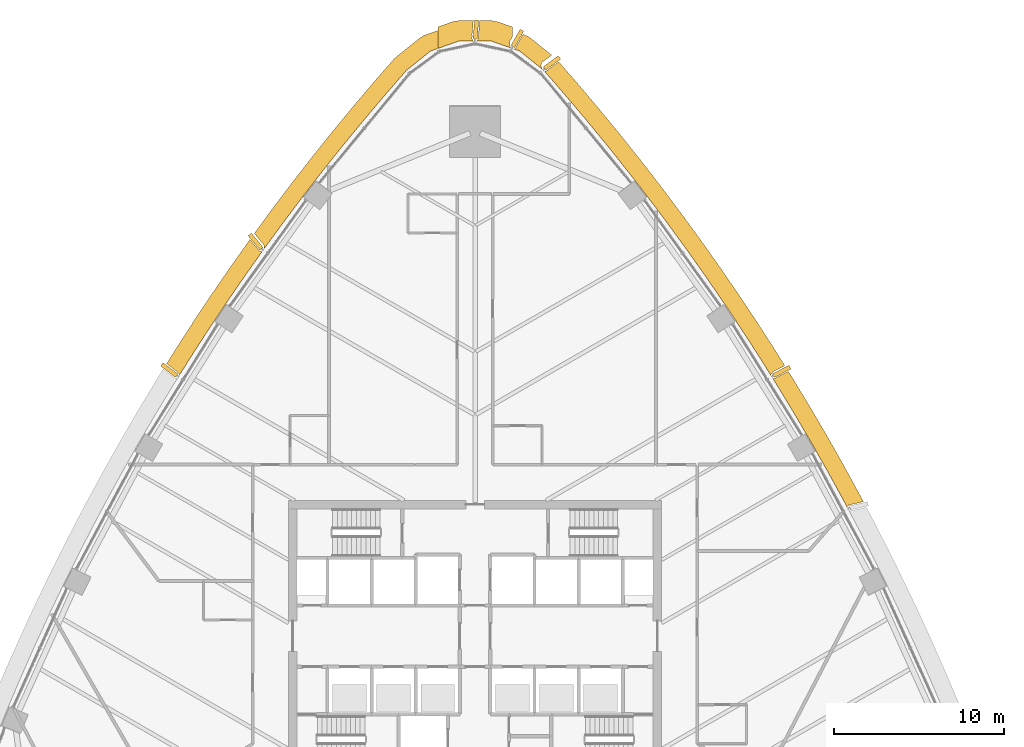
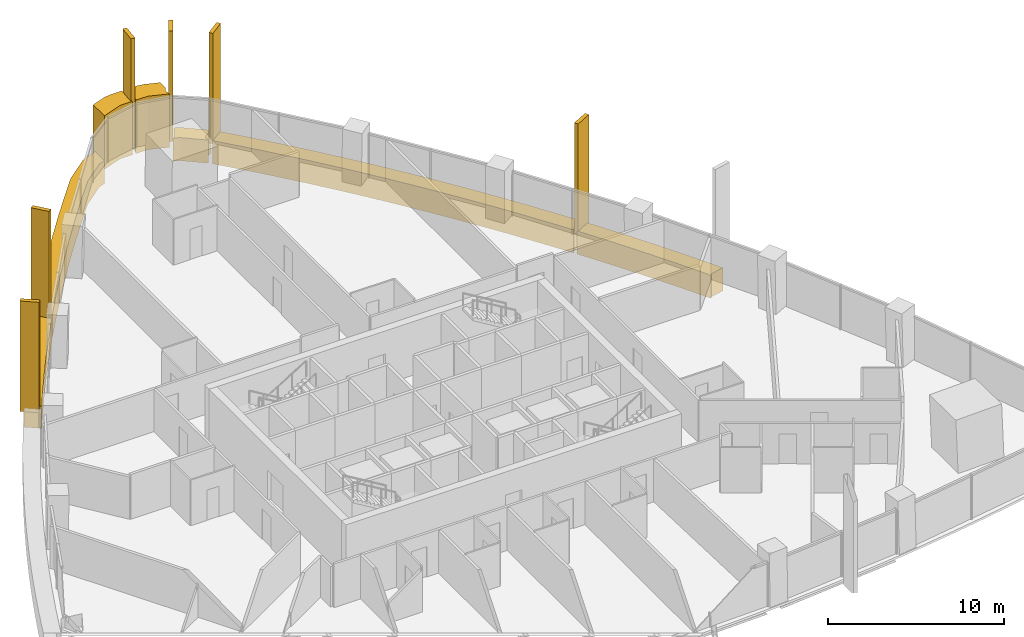
# One storey, part 21 of 22: 13 coverings.
"""IFC4 building model written with IfcOpenShell, lengths in metres."""

from ifc_helpers import new_model, si_unit, direction, frame, origin, origin_2d, place, context, subcontext, project, spatial, polyline, rectangle, outline, extrude, material, layer, layer_set, material_profile, profile_set, type_object, element, save


model = new_model("IFC4")

# Units and contexts
model_context = context("Model", 3, precision=1e-05, world=origin(), true_north=direction((0.0, 1.0)))
body_context = subcontext(model_context, "Body", "Model", "MODEL_VIEW")
ifc_project = project(units=[si_unit("LENGTHUNIT", "METRE"), si_unit("AREAUNIT", "SQUARE_METRE"), si_unit("VOLUMEUNIT", "CUBIC_METRE"), si_unit("PLANEANGLEUNIT", "RADIAN"), si_unit("MASSUNIT", "GRAM", prefix="KILO")], contexts=[model_context])

# Site, building, storey
site_placement = place(None, origin())
site = spatial("IfcSite", under=ifc_project, at=site_placement, CompositionType="ELEMENT")
building_placement = place(site_placement, origin())
building = spatial("IfcBuilding", under=site, at=building_placement, Name="Sierra Prisma Convention Tower", CompositionType="ELEMENT")
storey_placement = place(building_placement, frame((0.0, 0.0, 96.10009765625)))
storey = spatial("IfcBuildingStorey", under=building, at=storey_placement, Name="L20", CompositionType="ELEMENT", Elevation=96.10009765625)

# Coverings
ifc_material_1 = material(Name="Aluminium composite bronze anodised", Category="aluminium")
ifc_layer_1 = layer(ifc_material_1, 1.199951171875)
ifc_layer_set_1 = layer_set([ifc_layer_1], Name="Bronze corner pier")
covering_type_1 = type_object("IfcCoveringType", Name="Bronze corner pier", PredefinedType="CLADDING", material=ifc_layer_set_1)
covering_1_placement = place(storey_placement, frame((0.0, 0.0, -0.60009765625)))
element("IfcCovering", 1, at=covering_1_placement, inside=storey, type_object=covering_type_1, Name="Corner pier N L20.1", PredefinedType="CLADDING", context=body_context, shape_type="SweptSolid", body=[
    extrude(outline(polyline([(0.17236328125, 35.17626953125), (0.173583984375, 35.181396484375), (0.17431640625, 35.186279296875), (0.270263671875, 36.281494140625), (0.910888671875, 36.281494140625), (1.31005859375, 36.21337890625), (2.199951171875, 35.8994140625), (2.199951171875, 35.313720703125), (2.04638671875, 35.04150390625), (2.044189453125, 35.037353515625), (2.04248046875, 35.032958984375), (2.041259765625, 35.028564453125), (2.040283203125, 35.02392578125), (2.0400390625, 35.019287109375), (2.0400390625, 35.0146484375), (2.040283203125, 35.010009765625), (2.062255859375, 34.852294921875), (2.06298828125, 34.847412109375), (2.064453125, 34.842529296875), (2.06640625, 34.837890625), (2.068603515625, 34.83349609375), (2.069091796875, 34.8330078125), (2.06884765625, 34.832763671875), (2.06689453125, 34.82861328125), (2.065185546875, 34.82421875), (2.063720703125, 34.81982421875), (2.06298828125, 34.815185546875), (2.0625, 34.810546875), (2.0625, 34.805908203125), (2.06298828125, 34.801513671875), (2.081298828125, 34.6689453125), (0.910888671875, 35.08154296875), (0.110595703125, 35.08154296875), (0.165771484375, 35.16259765625), (0.16845703125, 35.1669921875), (0.170654296875, 35.17138671875), (0.17236328125, 35.17626953125)])), origin(), (0.0, 0.0, 1.0), 3.699951171875),
])
covering_2_placement = place(storey_placement, frame((0.0, 0.0, -0.60009765625)))
element("IfcCovering", 2, at=covering_2_placement, inside=storey, type_object=covering_type_1, Name="Corner pier N L20.2", PredefinedType="CLADDING", context=body_context, shape_type="SweptSolid", body=[
    extrude(outline(polyline([(-0.910888671875, 36.281494140625), (-0.09912109375, 36.281494140625), (-0.17431640625, 35.421142578125), (-0.174560546875, 35.416015625), (-0.17431640625, 35.4111328125), (-0.17333984375, 35.406005859375), (-0.172119140625, 35.401123046875), (-0.170166015625, 35.396484375), (-0.16796875, 35.39208984375), (-0.16015625, 35.37841796875), (-0.17431640625, 35.216796875), (-0.174560546875, 35.2119140625), (-0.17431640625, 35.206787109375), (-0.17333984375, 35.201904296875), (-0.172119140625, 35.197021484375), (-0.170166015625, 35.1923828125), (-0.16796875, 35.187744140625), (-0.107421875, 35.08154296875), (-0.910888671875, 35.08154296875), (-2.199951171875, 34.627197265625), (-2.199951171875, 35.8994140625), (-1.31005859375, 36.21337890625), (-0.910888671875, 36.281494140625)])), origin(), (0.0, 0.0, 1.0), 3.699951171875),
])
ifc_material_2 = material(Name="Aluminium 6063-T6 bronze anodised", Category="aluminium")
ifc_material_profile = material_profile(ifc_material_2, rectangle(XDim=1.10009765625, YDim=0.25, at=origin_2d()), Name="ALU FIN 1100x250")
ifc_profile_set = profile_set([ifc_material_profile], Name="Aluminium 6063-T6 bronze anodised")
covering_type_2 = type_object("IfcCoveringType", Name="Bronze facade fin", PredefinedType="CLADDING", material=ifc_profile_set)
for number, where, z_axis, x_axis, name in (
    (3, (18.072998046875, 15.599609375, -0.300048828125), (0.0, 0.0, 1.0), (0.890672948171, 0.454644585799, 0.0), "Fin L20.32"),
    (4, (4.534912109375, 33.777099609375, -0.300048828125), (0.0, 0.0, 1.0), (0.807491185753, 0.589879635969, 0.0), "Fin L20.39"),
    (5, (2.491455078125, 35.225830078125, -0.300048828125), (0.0, 0.0, 1.0), (0.491295495701, 0.870992959733, 0.0), "Fin L20.40"),
    (6, (0.0478515625, 35.74951171875, -0.300048828125), (0.0, 0.0, 1.0), (0.087155742748, 0.996194698092, 0.0), "Fin L20.41"),
    (7, (-12.933349609375, 23.246826171875, -0.300048828125), (0.0, 0.0, 1.0), (-0.638641871588, 0.76950409996, 0.0), "Fin L20.47"),
    (8, (-18.022216796875, 15.6806640625, -0.300048828125), (0.0, 0.0, 1.0), (-0.798193420947, 0.602401247307, 0.0), "Fin L20.50"),
):
    element("IfcCovering", number, at=place(storey_placement, frame(where, z_axis=z_axis, x_axis=x_axis)), inside=storey, type_object=covering_type_2, Name=name, ObjectType="FIN", PredefinedType="CLADDING", context=body_context, shape_type="SweptSolid", body=[
        extrude(rectangle(XDim=1.10009765625, YDim=0.25, at=origin_2d()), origin(), (0.0, 0.0, 1.0), 7.64990234375),
    ])
ifc_material_3 = material(Name="Aluminium composite bronze anodised", Category="aluminium")
ifc_layer_2 = layer(ifc_material_3, 1.0)
ifc_layer_set_2 = layer_set([ifc_layer_2], Name="Bronze spandrel band")
covering_type_3 = type_object("IfcCoveringType", Name="Bronze spandrel band", PredefinedType="CLADDING", material=ifc_layer_set_2)
covering_3_placement = place(storey_placement, frame((0.0, 0.0, -1.60009765625)))
element("IfcCovering", 9, at=covering_3_placement, inside=storey, type_object=covering_type_3, Name="Spandrel band L20.5", PredefinedType="CLADDING", context=body_context, shape_type="SweptSolid", body=[
    extrude(outline(polyline([(-13.277587890625, 23.364013671875), (-13.268310546875, 23.37646484375), (-12.716796875, 22.7119140625), (-12.71337890625, 22.7080078125), (-12.709716796875, 22.704833984375), (-12.705810546875, 22.701904296875), (-12.701416015625, 22.699462890625), (-12.697021484375, 22.697265625), (-12.692138671875, 22.69580078125), (-12.687255859375, 22.694580078125), (-12.544921875, 22.66845703125), (-13.585205078125, 21.199462890625), (-14.678466796875, 19.608642578125), (-14.695556640625, 19.5830078125), (-14.697509765625, 19.5810546875), (-14.700927734375, 19.577392578125), (-14.703857421875, 19.573486328125), (-15.37158203125, 18.576416015625), (-15.3740234375, 18.572265625), (-15.376220703125, 18.568115234375), (-15.377685546875, 18.5634765625), (-15.37890625, 18.558837890625), (-15.37939453125, 18.556884765625), (-15.74853515625, 18.00244140625), (-16.7958984375, 16.381103515625), (-17.4228515625, 15.37939453125), (-17.462158203125, 15.468994140625), (-17.46435546875, 15.4736328125), (-17.467041015625, 15.47802734375), (-17.47021484375, 15.482177734375), (-17.473876953125, 15.485595703125), (-17.477783203125, 15.489013671875), (-17.508544921875, 15.51220703125), (-17.523193359375, 15.54541015625), (-17.525390625, 15.550048828125), (-17.528076171875, 15.55419921875), (-17.53125, 15.558349609375), (-17.534912109375, 15.56201171875), (-17.538818359375, 15.565185546875), (-18.182373046875, 16.05078125), (-17.6435546875, 16.91162109375), (-17.6357421875, 16.923828125), (-16.588623046875, 18.545166015625), (-16.580810546875, 18.556884765625), (-15.510498046875, 20.1630859375), (-15.502685546875, 20.175048828125), (-14.409423828125, 21.765869140625), (-14.4013671875, 21.777587890625), (-13.285888671875, 23.3525390625), (-13.277587890625, 23.364013671875)])), origin(), (0.0, 0.0, 1.0), 1.60009765625),
])
covering_4_placement = place(storey_placement, frame((0.0, 0.0, -1.60009765625)))
element("IfcCovering", 10, at=covering_4_placement, inside=storey, type_object=covering_type_3, Name="Spandrel band L20.6", PredefinedType="CLADDING", context=body_context, shape_type="SweptSolid", body=[
    extrude(outline(polyline([(-10.970947265625, 26.477294921875), (-10.96240234375, 26.488525390625), (-9.780517578125, 28.014404296875), (-9.771728515625, 28.025634765625), (-8.568115234375, 29.534423828125), (-8.55908203125, 29.545654296875), (-7.334228515625, 31.037109375), (-7.3251953125, 31.048095703125), (-6.0791015625, 32.522216796875), (-6.069580078125, 32.532958984375), (-4.802734375, 33.989013671875), (-4.67578125, 34.111328125), (-3.256591796875, 35.25439453125), (-2.9619140625, 35.418701171875), (-2.2099609375, 35.683837890625), (-2.2099609375, 34.62353515625), (-2.62939453125, 34.4755859375), (-4.04833984375, 33.33251953125), (-5.315185546875, 31.876708984375), (-6.561279296875, 30.402587890625), (-7.786376953125, 28.910888671875), (-8.989990234375, 27.402099609375), (-9.397705078125, 26.87548828125), (-9.399169921875, 26.874755859375), (-9.4033203125, 26.8720703125), (-9.4072265625, 26.869140625), (-9.410888671875, 26.86572265625), (-9.413818359375, 26.86181640625), (-10.146484375, 25.91162109375), (-10.149169921875, 25.90771484375), (-10.151611328125, 25.9033203125), (-10.15283203125, 25.900634765625), (-10.171875, 25.876220703125), (-11.331787109375, 24.33349609375), (-12.417724609375, 22.845947265625), (-12.4345703125, 22.905517578125), (-12.43408203125, 22.90625), (-12.431884765625, 22.91064453125), (-12.429931640625, 22.915283203125), (-12.4287109375, 22.920166015625), (-12.427978515625, 22.9248046875), (-12.427490234375, 22.929931640625), (-12.427734375, 22.934814453125), (-12.42822265625, 22.939697265625), (-12.429443359375, 22.944580078125), (-12.460205078125, 23.052978515625), (-12.461669921875, 23.057861328125), (-12.4638671875, 23.0625), (-12.466552734375, 23.067138671875), (-12.4697265625, 23.0712890625), (-13.01318359375, 23.72607421875), (-12.139404296875, 24.923095703125), (-12.131103515625, 24.9345703125), (-10.970947265625, 26.477294921875)])), origin(), (0.0, 0.0, 1.0), 1.60009765625),
])
covering_5_placement = place(storey_placement, frame((0.0, 0.0, -1.60009765625)))
element("IfcCovering", 11, at=covering_5_placement, inside=storey, type_object=covering_type_3, Name="Spandrel band L20.7", PredefinedType="CLADDING", context=body_context, shape_type="SweptSolid", body=[
    extrude(outline(polyline([(3.891357421875, 33.58740234375), (3.893798828125, 33.58349609375), (3.896728515625, 33.57958984375), (3.89990234375, 33.576171875), (3.903564453125, 33.572998046875), (3.959228515625, 33.5283203125), (3.93359375, 33.425048828125), (2.62939453125, 34.4755859375), (2.287353515625, 34.59619140625), (2.358154296875, 34.643798828125), (2.36181640625, 34.646728515625), (2.365234375, 34.64990234375), (2.368408203125, 34.6533203125), (2.371337890625, 34.656982421875), (2.373779296875, 34.660888671875), (2.827880859375, 35.466064453125), (2.9619140625, 35.418701171875), (3.256591796875, 35.25439453125), (4.521484375, 34.235595703125), (3.946044921875, 33.8154296875), (3.942138671875, 33.812255859375), (3.938720703125, 33.808837890625), (3.935302734375, 33.804931640625), (3.9326171875, 33.80078125), (3.930419921875, 33.79638671875), (3.928466796875, 33.791748046875), (3.927001953125, 33.787109375), (3.886474609375, 33.6240234375), (3.885498046875, 33.619384765625), (3.885009765625, 33.61474609375), (3.885009765625, 33.610107421875), (3.885498046875, 33.605224609375), (3.88623046875, 33.6005859375), (3.887451171875, 33.59619140625), (3.889404296875, 33.591552734375), (3.891357421875, 33.58740234375)])), origin(), (0.0, 0.0, 1.0), 1.60009765625),
])
covering_6_placement = place(storey_placement, frame((0.0, 0.0, -1.60009765625)))
element("IfcCovering", 12, at=covering_6_placement, inside=storey, type_object=covering_type_3, Name="Spandrel band L20.8", PredefinedType="CLADDING", context=body_context, shape_type="SweptSolid", body=[
    extrude(outline(polyline([(17.6357421875, 16.923828125), (17.6435546875, 16.91162109375), (18.25537109375, 15.93408203125), (17.564697265625, 15.58154296875), (17.560302734375, 15.5791015625), (17.55615234375, 15.576171875), (17.55224609375, 15.57275390625), (17.548828125, 15.569091796875), (17.5458984375, 15.565185546875), (17.543212890625, 15.560791015625), (17.51708984375, 15.51220703125), (17.503662109375, 15.50537109375), (17.499267578125, 15.502685546875), (17.4951171875, 15.5), (17.4912109375, 15.49658203125), (17.48779296875, 15.492919921875), (17.48486328125, 15.48876953125), (17.482421875, 15.484619140625), (17.42431640625, 15.376953125), (16.7958984375, 16.381103515625), (15.74853515625, 18.00244140625), (15.37939453125, 18.556884765625), (15.37890625, 18.558837890625), (15.377685546875, 18.5634765625), (15.376220703125, 18.568115234375), (15.3740234375, 18.572265625), (15.37158203125, 18.576416015625), (14.703857421875, 19.573486328125), (14.700927734375, 19.577392578125), (14.697509765625, 19.5810546875), (14.695556640625, 19.5830078125), (14.678466796875, 19.608642578125), (13.585205078125, 21.199462890625), (12.4697265625, 22.774658203125), (11.331787109375, 24.33349609375), (10.171875, 25.876220703125), (10.15283203125, 25.900634765625), (10.151611328125, 25.9033203125), (10.149169921875, 25.90771484375), (10.146484375, 25.91162109375), (9.413818359375, 26.86181640625), (9.410888671875, 26.86572265625), (9.4072265625, 26.869140625), (9.4033203125, 26.8720703125), (9.399169921875, 26.874755859375), (9.397705078125, 26.87548828125), (8.989990234375, 27.402099609375), (7.786376953125, 28.910888671875), (6.561279296875, 30.402587890625), (5.315185546875, 31.876708984375), (4.09033203125, 33.284423828125), (4.175048828125, 33.302734375), (4.18017578125, 33.30419921875), (4.18505859375, 33.305908203125), (4.189697265625, 33.308349609375), (4.194091796875, 33.311279296875), (4.9267578125, 33.846435546875), (6.069580078125, 32.532958984375), (6.0791015625, 32.522216796875), (7.3251953125, 31.048095703125), (7.334228515625, 31.037109375), (8.55908203125, 29.545654296875), (8.568115234375, 29.534423828125), (9.771728515625, 28.025634765625), (9.780517578125, 28.014404296875), (10.96240234375, 26.488525390625), (10.970947265625, 26.477294921875), (12.131103515625, 24.9345703125), (12.139404296875, 24.923095703125), (13.277587890625, 23.364013671875), (13.285888671875, 23.3525390625), (14.4013671875, 21.777587890625), (14.409423828125, 21.765869140625), (15.502685546875, 20.175048828125), (15.510498046875, 20.1630859375), (16.580810546875, 18.556884765625), (16.588623046875, 18.545166015625), (17.6357421875, 16.923828125)])), origin(), (0.0, 0.0, 1.0), 1.60009765625),
])
covering_7_placement = place(storey_placement, frame((0.0, 0.0, -1.60009765625)))
element("IfcCovering", 13, at=covering_7_placement, inside=storey, type_object=covering_type_3, Name="Spandrel band L20.9", PredefinedType="CLADDING", context=body_context, shape_type="SweptSolid", body=[
    extrude(outline(polyline([(20.75048828125, 9.751708984375), (20.103759765625, 10.890380859375), (20.103515625, 10.891845703125), (20.102783203125, 10.896728515625), (20.101318359375, 10.901611328125), (20.099609375, 10.906005859375), (20.097412109375, 10.910400390625), (19.798828125, 11.427490234375), (19.79736328125, 11.429931640625), (19.7958984375, 11.4326171875), (19.497314453125, 11.94970703125), (19.49462890625, 11.95361328125), (19.49169921875, 11.95751953125), (19.48828125, 11.961181640625), (19.484619140625, 11.96435546875), (19.4833984375, 11.965087890625), (18.8203125, 13.094482421875), (17.81982421875, 14.7451171875), (17.5400390625, 15.192138671875), (17.637939453125, 15.188232421875), (17.64306640625, 15.188232421875), (17.648193359375, 15.188720703125), (17.6533203125, 15.18994140625), (17.657958984375, 15.19140625), (17.66259765625, 15.193603515625), (18.463134765625, 15.602294921875), (18.66748046875, 15.275634765625), (18.675048828125, 15.263427734375), (19.675537109375, 13.613037109375), (19.682861328125, 13.600830078125), (20.659912109375, 11.936279296875), (20.6669921875, 11.923828125), (21.6201171875, 10.24560546875), (21.626953125, 10.23291015625), (22.55615234375, 8.541259765625), (22.562744140625, 8.52880859375), (22.887451171875, 7.9169921875), (22.04541015625, 7.723388671875), (22.04052734375, 7.721923828125), (22.035888671875, 7.72021484375), (22.031494140625, 7.718017578125), (22.02734375, 7.715087890625), (22.0234375, 7.7119140625), (22.02001953125, 7.70849609375), (22.0166015625, 7.704833984375), (21.92919921875, 7.58935546875), (21.679443359375, 8.059814453125), (20.75048828125, 9.751708984375)])), origin(), (0.0, 0.0, 1.0), 1.60009765625),
])

save(model, "model.ifc")
